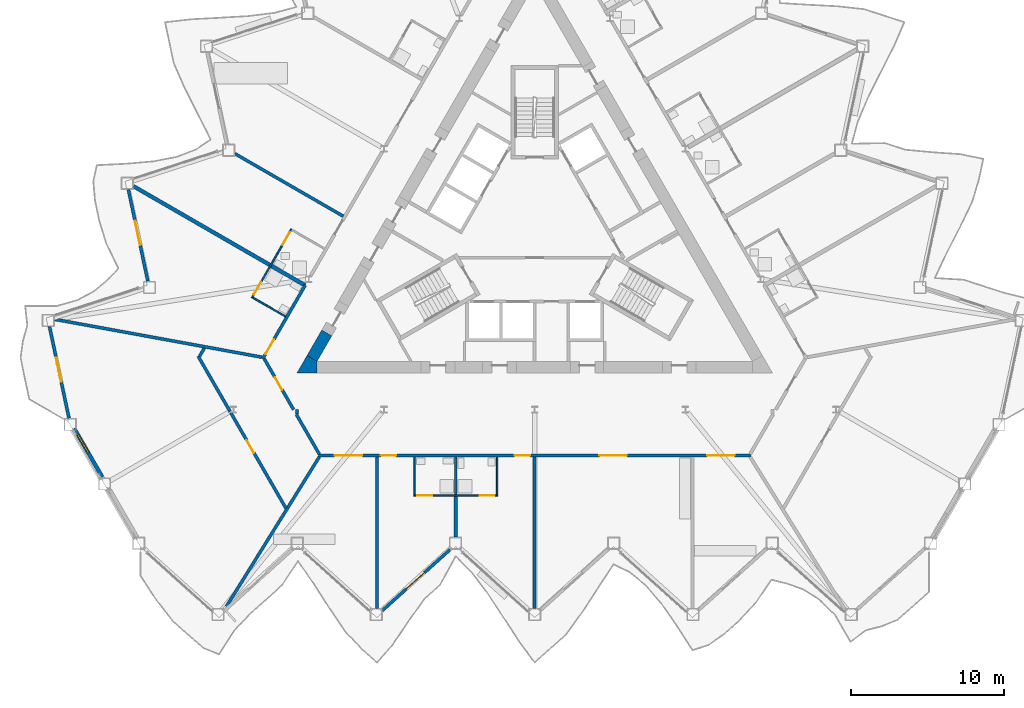
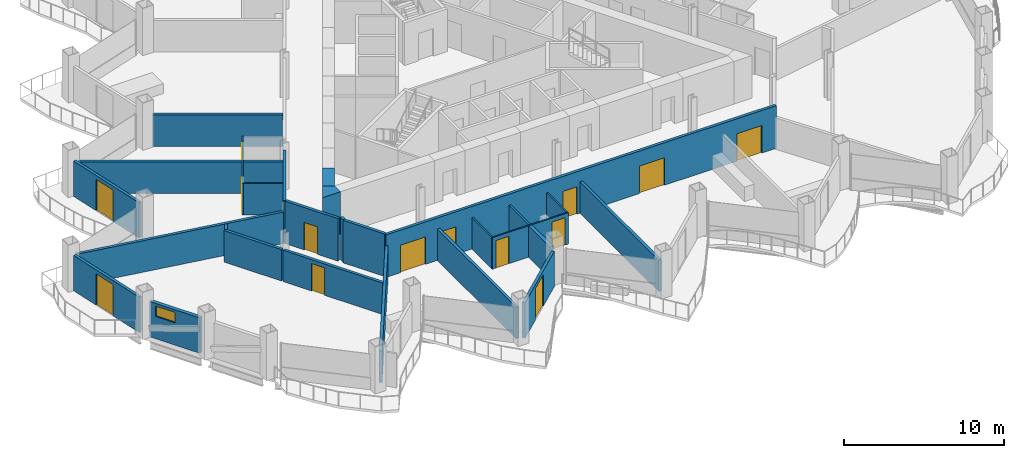
# One storey, part 11 of 24: 27 walls, 15 doors, 1 window, 16 openings.
"""IFC4 building model written with IfcOpenShell, lengths in metres."""

from ifc_helpers import new_model, si_unit, direction, frame, frame_2d, origin, place, context, subcontext, project, spatial, polyline, rectangle, outline, extrude, material, layer, layer_set, type_object, element, fill, save


model = new_model("IFC4")

# Units and contexts
model_context = context("Model", 3, precision=1e-05, world=origin(), true_north=direction((0.0, 1.0)))
body_context = subcontext(model_context, "Body", "Model", "MODEL_VIEW")
ifc_project = project(units=[si_unit("LENGTHUNIT", "METRE"), si_unit("AREAUNIT", "SQUARE_METRE"), si_unit("VOLUMEUNIT", "CUBIC_METRE"), si_unit("PLANEANGLEUNIT", "RADIAN"), si_unit("MASSUNIT", "GRAM", prefix="KILO")], contexts=[model_context])

# Site, building, storey
site_placement = place(None, origin())
site = spatial("IfcSite", under=ifc_project, at=site_placement, CompositionType="ELEMENT")
building_placement = place(site_placement, origin())
building = spatial("IfcBuilding", under=site, at=building_placement, Name="Cormorant Prow Tower", CompositionType="ELEMENT")
storey_placement = place(building_placement, frame((0.0, 0.0, 205.199951171875)))
storey = spatial("IfcBuildingStorey", under=building, at=storey_placement, Name="L45", CompositionType="ELEMENT", Elevation=205.199951171875)

# Walls
ifc_material_1 = material(Name="Concrete 8000 psi", Category="concrete")
ifc_layer_1 = layer(ifc_material_1, 0.75)
ifc_layer_set_1 = layer_set([ifc_layer_1], Name="Concrete 8000 psi")
wall_type_1 = type_object("IfcWallType", Name="Core shear wall 750", PredefinedType="SHEAR", material=ifc_layer_set_1)
wall_1_placement = place(storey_placement, frame((-13.564208984375, -6.34619140625, 0.0), z_axis=(0.0, 0.0, 1.0), x_axis=(-0.499989888488, -0.86603124159, 0.0)))
element("IfcWall", 1, at=wall_1_placement, inside=storey, type_object=wall_type_1, Name="Core wall", PredefinedType="SHEAR", context=body_context, shape_type="SweptSolid", body=[
    extrude(rectangle(XDim=1.9228515625, YDim=0.75, at=frame_2d((0.96142578125, 0.0))), origin(), (0.0, 0.0, 1.0), 3.25),
])
wall_2_placement = place(storey_placement, origin())
element("IfcWall", 2, at=wall_2_placement, inside=storey, type_object=wall_type_1, Name="Core wall corner", PredefinedType="SHEAR", context=body_context, shape_type="SweptSolid", body=[
    extrude(outline(polyline([(-14.8505859375, -7.823974609375), (-14.200927734375, -8.198974609375), (-14.200927734375, -8.948974609375), (-15.5, -8.948974609375), (-14.8505859375, -7.823974609375)])), origin(), (0.0, 0.0, 1.0), 3.25),
])

# Wall, openings, doors
ifc_material_2 = material(Name="Gypsum board corridor wall")
ifc_layer_2 = layer(ifc_material_2, 0.199951171875)
ifc_layer_set_2 = layer_set([ifc_layer_2], Name="Gypsum board corridor wall")
wall_type_2 = type_object("IfcWallType", Name="Corridor wall 200", PredefinedType="PARTITIONING", material=ifc_layer_set_2)
wall_3_placement = place(storey_placement, frame((-14.098876953125, -14.348876953125, 0.0), z_axis=(0.0, 0.0, 1.0), x_axis=(1.0, 0.0, 0.0)))
wall_3 = element("IfcWall", 3, at=wall_3_placement, inside=storey, type_object=wall_type_2, Name="Corridor wall", PredefinedType="PARTITIONING", context=body_context, shape_type="SweptSolid", body=[
    extrude(rectangle(XDim=28.19775390625, YDim=0.199951171875, at=frame_2d((14.098876953125, 0.0))), origin(), (0.0, 0.0, 1.0), 3.25),
])
opening_1_placement = place(wall_3_placement, frame((1.052978515625, 0.0, 0.0)))
opening_1 = element("IfcOpeningElement", 4, at=opening_1_placement, cuts=wall_3, Name="Opening L45-F01", PredefinedType="OPENING", context=body_context, shape_type="SweptSolid", body=[
    extrude(rectangle(XDim=1.800048828125, YDim=2.10009765625, at=frame_2d((0.89990234375, 1.050048828125))), frame((0.0, 0.10986328125, 0.0), z_axis=(0.0, -1.0, 0.0), x_axis=(1.0, 0.0, 0.0)), (0.0, 0.0, 1.0), 0.219970703125),
])
opening_2_placement = place(wall_3_placement, frame((4.06396484375, 0.0, 0.0)))
opening_2 = element("IfcOpeningElement", 5, at=opening_2_placement, cuts=wall_3, Name="Opening L45-F02", PredefinedType="OPENING", context=body_context, shape_type="SweptSolid", body=[
    extrude(rectangle(XDim=1.0, YDim=2.10009765625, at=frame_2d((0.5, 1.050048828125))), frame((0.0, 0.10986328125, 0.0), z_axis=(0.0, -1.0, 0.0), x_axis=(1.0, 0.0, 0.0)), (0.0, 0.0, 1.0), 0.219970703125),
])
opening_3_placement = place(wall_3_placement, frame((12.7958984375, 0.0, 0.0)))
opening_3 = element("IfcOpeningElement", 6, at=opening_3_placement, cuts=wall_3, Name="Opening L45-F04", PredefinedType="OPENING", context=body_context, shape_type="SweptSolid", body=[
    extrude(rectangle(XDim=1.0, YDim=2.10009765625, at=frame_2d((0.5, 1.050048828125))), frame((0.0, 0.10986328125, 0.0), z_axis=(0.0, -1.0, 0.0), x_axis=(1.0, 0.0, 0.0)), (0.0, 0.0, 1.0), 0.219970703125),
])
opening_4_placement = place(wall_3_placement, frame((18.318115234375, 0.0, 0.0)))
opening_4 = element("IfcOpeningElement", 7, at=opening_4_placement, cuts=wall_3, Name="Opening L45-F06", PredefinedType="OPENING", context=body_context, shape_type="SweptSolid", body=[
    extrude(rectangle(XDim=1.800048828125, YDim=2.10009765625, at=frame_2d((0.89990234375, 1.050048828125))), frame((0.0, 0.10986328125, 0.0), z_axis=(0.0, -1.0, 0.0), x_axis=(1.0, 0.0, 0.0)), (0.0, 0.0, 1.0), 0.219970703125),
])
opening_5_placement = place(wall_3_placement, frame((25.3447265625, 0.0, 0.0)))
opening_5 = element("IfcOpeningElement", 8, at=opening_5_placement, cuts=wall_3, Name="Opening L45-F07", PredefinedType="OPENING", context=body_context, shape_type="SweptSolid", body=[
    extrude(rectangle(XDim=1.800048828125, YDim=2.10009765625, at=frame_2d((0.89990234375, 1.050048828125))), frame((0.0, 0.10986328125, 0.0), z_axis=(0.0, -1.0, 0.0), x_axis=(1.0, 0.0, 0.0)), (0.0, 0.0, 1.0), 0.219970703125),
])
ifc_material_3 = material(Name="Timber door leaf", Category="wood")
door_type_1 = type_object("IfcDoorType", Name="Double door 1800x2100", OperationType="DOUBLE_DOOR_SINGLE_SWING", PredefinedType="DOOR", material=ifc_material_3)
door_1_placement = place(opening_1_placement, origin())
door_1 = element("IfcDoor", 9, at=door_1_placement, inside=storey, type_object=door_type_1, Name="Fitness room door", OperationType="DOUBLE_DOOR_SINGLE_SWING", OverallHeight=2.10009765625, OverallWidth=1.800048828125, PredefinedType="DOOR", context=body_context, shape_type="SweptSolid", body=[
    extrude(rectangle(XDim=1.800048828125, YDim=2.10009765625, at=frame_2d((0.89990234375, 1.050048828125))), frame((0.0, 0.02490234375, 0.0), z_axis=(0.0, -1.0, 0.0), x_axis=(1.0, 0.0, 0.0)), (0.0, 0.0, 1.0), 0.050048828125),
])
fill(opening_1, door_1)
door_2_placement = place(opening_4_placement, origin())
door_2 = element("IfcDoor", 10, at=door_2_placement, inside=storey, type_object=door_type_1, Name="Yoga studio door", OperationType="DOUBLE_DOOR_SINGLE_SWING", OverallHeight=2.10009765625, OverallWidth=1.800048828125, PredefinedType="DOOR", context=body_context, shape_type="SweptSolid", body=[
    extrude(rectangle(XDim=1.800048828125, YDim=2.10009765625, at=frame_2d((0.89990234375, 1.050048828125))), frame((0.0, 0.02490234375, 0.0), z_axis=(0.0, -1.0, 0.0), x_axis=(1.0, 0.0, 0.0)), (0.0, 0.0, 1.0), 0.050048828125),
])
fill(opening_4, door_2)
door_3_placement = place(opening_5_placement, origin())
door_3 = element("IfcDoor", 11, at=door_3_placement, inside=storey, type_object=door_type_1, Name="Wellness studio door", OperationType="DOUBLE_DOOR_SINGLE_SWING", OverallHeight=2.10009765625, OverallWidth=1.800048828125, PredefinedType="DOOR", context=body_context, shape_type="SweptSolid", body=[
    extrude(rectangle(XDim=1.800048828125, YDim=2.10009765625, at=frame_2d((0.89990234375, 1.050048828125))), frame((0.0, 0.02490234375, 0.0), z_axis=(0.0, -1.0, 0.0), x_axis=(1.0, 0.0, 0.0)), (0.0, 0.0, 1.0), 0.050048828125),
])
fill(opening_5, door_3)
ifc_material_4 = material(Name="Timber door leaf", Category="wood")
door_type_2 = type_object("IfcDoorType", Name="Flat or room entrance door 1000x2100", OperationType="NOTDEFINED", PredefinedType="DOOR", material=ifc_material_4)
door_4_placement = place(opening_2_placement, origin())
door_4 = element("IfcDoor", 12, at=door_4_placement, inside=storey, type_object=door_type_2, Name="Guest room door", OperationType="SINGLE_SWING_LEFT", OverallHeight=2.10009765625, OverallWidth=1.0, PredefinedType="DOOR", context=body_context, shape_type="SweptSolid", body=[
    extrude(rectangle(XDim=1.0, YDim=2.10009765625, at=frame_2d((0.5, 1.050048828125))), frame((0.0, 0.02490234375, 0.0), z_axis=(0.0, -1.0, 0.0), x_axis=(1.0, 0.0, 0.0)), (0.0, 0.0, 1.0), 0.050048828125),
])
fill(opening_2, door_4)
door_5_placement = place(opening_3_placement, origin())
door_5 = element("IfcDoor", 13, at=door_5_placement, inside=storey, type_object=door_type_2, Name="Guest room door", OperationType="SINGLE_SWING_RIGHT", OverallHeight=2.10009765625, OverallWidth=1.0, PredefinedType="DOOR", context=body_context, shape_type="SweptSolid", body=[
    extrude(rectangle(XDim=1.0, YDim=2.10009765625, at=frame_2d((0.5, 1.050048828125))), frame((0.0, 0.02490234375, 0.0), z_axis=(0.0, -1.0, 0.0), x_axis=(1.0, 0.0, 0.0)), (0.0, 0.0, 1.0), 0.050048828125),
])
fill(opening_3, door_5)

# Wall, opening, door
wall_4_placement = place(storey_placement, frame((-17.743896484375, -8.035400390625, 0.0), z_axis=(0.0, 0.0, 1.0), x_axis=(0.500003221507, 0.866023543838, 0.0)))
wall_4 = element("IfcWall", 14, at=wall_4_placement, inside=storey, type_object=wall_type_2, Name="Corridor wall", PredefinedType="PARTITIONING", context=body_context, shape_type="SweptSolid", body=[
    extrude(rectangle(XDim=5.544921875, YDim=0.199951171875, at=frame_2d((2.7724609375, 0.0))), origin(), (0.0, 0.0, 1.0), 3.25),
])
opening_6_placement = place(wall_4_placement, frame((0.35107421875, 0.0, 0.0)))
opening_6 = element("IfcOpeningElement", 15, at=opening_6_placement, cuts=wall_4, Name="Opening L45-F28", PredefinedType="OPENING", context=body_context, shape_type="SweptSolid", body=[
    extrude(rectangle(XDim=1.10009765625, YDim=2.10009765625, at=frame_2d((0.550048828125, 1.050048828125))), frame((0.0, 0.10986328125, 0.0), z_axis=(0.0, -1.0, 0.0), x_axis=(1.0, 0.0, 0.0)), (0.0, 0.0, 1.0), 0.219970703125),
])
ifc_material_5 = material(Name="Timber door leaf", Category="wood")
door_type_3 = type_object("IfcDoorType", Name="Suite entrance door 1100x2100", OperationType="NOTDEFINED", PredefinedType="DOOR", material=ifc_material_5)
door_6_placement = place(opening_6_placement, origin())
door_6 = element("IfcDoor", 16, at=door_6_placement, inside=storey, type_object=door_type_3, Name="Junior suite door", OperationType="SINGLE_SWING_LEFT", OverallHeight=2.10009765625, OverallWidth=1.10009765625, PredefinedType="DOOR", context=body_context, shape_type="SweptSolid", body=[
    extrude(rectangle(XDim=1.10009765625, YDim=2.10009765625, at=frame_2d((0.550048828125, 1.050048828125))), frame((0.0, 0.02490234375, 0.0), z_axis=(0.0, -1.0, 0.0), x_axis=(1.0, 0.0, 0.0)), (0.0, 0.0, 1.0), 0.050048828125),
])
fill(opening_6, door_6)

wall_5_placement = place(storey_placement, frame((-17.643798828125, -8.035400390625, 0.0), z_axis=(0.0, 0.0, 1.0), x_axis=(0.499961815444, -0.866047448526, 0.0)))
wall_5 = element("IfcWall", 17, at=wall_5_placement, inside=storey, type_object=wall_type_2, Name="Corridor wall", PredefinedType="PARTITIONING", context=body_context, shape_type="SweptSolid", body=[
    extrude(rectangle(XDim=3.825927734375, YDim=0.199951171875, at=frame_2d((1.9130859375, 0.0))), origin(), (0.0, 0.0, 1.0), 3.25),
])
opening_7_placement = place(wall_5_placement, frame((1.38623046875, 0.0, 0.0)))
opening_7 = element("IfcOpeningElement", 18, at=opening_7_placement, cuts=wall_5, Name="Opening L45-F30", PredefinedType="OPENING", context=body_context, shape_type="SweptSolid", body=[
    extrude(rectangle(XDim=0.949951171875, YDim=2.10009765625, at=frame_2d((0.47509765625, 1.050048828125))), frame((0.0, 0.10986328125, 0.0), z_axis=(0.0, -1.0, 0.0), x_axis=(1.0, 0.0, 0.0)), (0.0, 0.0, 1.0), 0.219970703125),
])
ifc_material_6 = material(Name="Timber door leaf", Category="wood")
door_type_4 = type_object("IfcDoorType", Name="Store door 950x2100", OperationType="NOTDEFINED", PredefinedType="DOOR", material=ifc_material_6)
door_7_placement = place(opening_7_placement, origin())
door_7 = element("IfcDoor", 19, at=door_7_placement, inside=storey, type_object=door_type_4, Name="Guest pantry door", OperationType="SINGLE_SWING_RIGHT", OverallHeight=2.10009765625, OverallWidth=0.949951171875, PredefinedType="DOOR", context=body_context, shape_type="SweptSolid", body=[
    extrude(rectangle(XDim=0.949951171875, YDim=2.10009765625, at=frame_2d((0.47509765625, 1.050048828125))), frame((0.0, 0.02490234375, 0.0), z_axis=(0.0, -1.0, 0.0), x_axis=(1.0, 0.0, 0.0)), (0.0, 0.0, 1.0), 0.050048828125),
])
fill(opening_7, door_7)

# Walls
wall_6_placement = place(storey_placement, frame((-15.550048828125, -11.662353515625, 0.0), z_axis=(0.0, 0.0, 1.0), x_axis=(0.500048608389, -0.865997337899, 0.0)))
element("IfcWall", 20, at=wall_6_placement, inside=storey, type_object=wall_type_2, Name="Corridor wall", PredefinedType="PARTITIONING", context=body_context, shape_type="SweptSolid", body=[
    extrude(rectangle(XDim=3.002197265625, YDim=0.199951171875, at=frame_2d((1.5009765625, 0.0))), origin(), (0.0, 0.0, 1.0), 3.25),
])
wall_7_placement = place(storey_placement, frame((-15.5, -11.64892578125, 0.0), z_axis=(0.0, 0.0, 1.0), x_axis=(0.0, 1.0, 0.0)))
element("IfcWall", 21, at=wall_7_placement, inside=storey, type_object=wall_type_2, Name="Corridor wall", PredefinedType="PARTITIONING", context=body_context, shape_type="SweptSolid", body=[
    extrude(rectangle(XDim=0.31005859375, YDim=0.199951171875, at=frame_2d((0.155029296875, 0.0))), origin(), (0.0, 0.0, 1.0), 3.25),
])
ifc_material_7 = material(Name="Gypsum board demising wall")
ifc_layer_3 = layer(ifc_material_7, 0.199951171875)
ifc_layer_set_3 = layer_set([ifc_layer_3], Name="Gypsum board demising wall")
wall_type_3 = type_object("IfcWallType", Name="Demising wall 200", PredefinedType="PARTITIONING", material=ifc_layer_set_3)
wall_8_placement = place(storey_placement, frame((-31.3291015625, -5.4580078125, 0.0), z_axis=(0.0, 0.0, 1.0), x_axis=(0.983720538919, -0.179705039744, 0.0)))
element("IfcWall", 22, at=wall_8_placement, inside=storey, type_object=wall_type_3, Name="Demising wall", PredefinedType="PARTITIONING", context=body_context, shape_type="SweptSolid", body=[
    extrude(rectangle(XDim=13.760986328125, YDim=0.199951171875, at=frame_2d((6.88037109375, 0.0))), origin(), (0.0, 0.0, 1.0), 2.404296875),
])
wall_9_placement = place(storey_placement, frame((-20.116943359375, -24.200439453125, 0.0), z_axis=(0.0, 0.0, 1.0), x_axis=(0.527576403825, 0.849507585679, 0.0)))
element("IfcWall", 23, at=wall_9_placement, inside=storey, type_object=wall_type_3, Name="Demising wall", PredefinedType="PARTITIONING", context=body_context, shape_type="SweptSolid", body=[
    extrude(rectangle(XDim=11.496826171875, YDim=0.199951171875, at=frame_2d((5.74853515625, 0.0))), origin(), (0.0, 0.0, 1.0), 2.404296875),
])
for number, where, z_axis, x_axis, name in (
    (24, (-10.296142578125, -24.3115234375, 0.0), (0.0, 0.0, 1.0), (0.0, 1.0, 0.0), "Demising wall"),
    (25, (0.0, -24.3115234375, 0.0), (0.0, 0.0, 1.0), (0.0, 1.0, 0.0), "Demising wall"),
):
    element("IfcWall", number, at=place(storey_placement, frame(where, z_axis=z_axis, x_axis=x_axis)), inside=storey, type_object=wall_type_3, Name=name, PredefinedType="PARTITIONING", context=body_context, shape_type="SweptSolid", body=[
        extrude(rectangle(XDim=9.862548828125, YDim=0.199951171875, at=frame_2d((4.93115234375, 0.0))), origin(), (0.0, 0.0, 1.0), 2.404296875),
    ])
wall_10_placement = place(storey_placement, frame((-19.5546875, 5.345458984375, 0.0), z_axis=(0.0, 0.0, 1.0), x_axis=(0.866026623601, -0.49999788721, 0.0)))
element("IfcWall", 26, at=wall_10_placement, inside=storey, type_object=wall_type_3, Name="Demising wall", PredefinedType="PARTITIONING", context=body_context, shape_type="SweptSolid", body=[
    extrude(rectangle(XDim=8.15869140625, YDim=0.199951171875, at=frame_2d((4.079345703125, 0.0))), origin(), (0.0, 0.0, 1.0), 2.404296875),
])

# Wall, opening, door
wall_11_placement = place(storey_placement, frame((-19.822265625, -11.5625, 0.0), z_axis=(0.0, 0.0, 1.0), x_axis=(0.500008997517, -0.866020209003, 0.0)))
wall_11 = element("IfcWall", 27, at=wall_11_placement, inside=storey, type_object=wall_type_3, Name="Demising wall", PredefinedType="PARTITIONING", context=body_context, shape_type="SweptSolid", body=[
    extrude(rectangle(XDim=7.178466796875, YDim=0.199951171875, at=frame_2d((3.58935546875, 0.0))), origin(), (0.0, 0.0, 1.0), 2.404296875),
])
opening_8_placement = place(wall_11_placement, frame((2.05908203125, 0.0, 0.0)))
opening_8 = element("IfcOpeningElement", 28, at=opening_8_placement, cuts=wall_11, Name="Opening L45-F31", PredefinedType="OPENING", context=body_context, shape_type="SweptSolid", body=[
    extrude(rectangle(XDim=0.949951171875, YDim=2.10009765625, at=frame_2d((0.47509765625, 1.050048828125))), frame((0.0, 0.10986328125, 0.0), z_axis=(0.0, -1.0, 0.0), x_axis=(1.0, 0.0, 0.0)), (0.0, 0.0, 1.0), 0.219970703125),
])
door_8_placement = place(opening_8_placement, origin())
door_8 = element("IfcDoor", 29, at=door_8_placement, inside=storey, type_object=door_type_4, Name="Luggage store door", OperationType="SINGLE_SWING_RIGHT", OverallHeight=2.10009765625, OverallWidth=0.949951171875, PredefinedType="DOOR", context=body_context, shape_type="SweptSolid", body=[
    extrude(rectangle(XDim=0.949951171875, YDim=2.10009765625, at=frame_2d((0.47509765625, 1.050048828125))), frame((0.0, 0.02490234375, 0.0), z_axis=(0.0, -1.0, 0.0), x_axis=(1.0, 0.0, 0.0)), (0.0, 0.0, 1.0), 0.050048828125),
])
fill(opening_8, door_8)

# Walls
wall_12_placement = place(storey_placement, frame((-21.95849609375, -7.8623046875, 0.0), z_axis=(0.0, 0.0, 1.0), x_axis=(0.499987304225, -0.866032733569, 0.0)))
element("IfcWall", 30, at=wall_12_placement, inside=storey, type_object=wall_type_3, Name="Demising wall", PredefinedType="PARTITIONING", context=body_context, shape_type="SweptSolid", body=[
    extrude(rectangle(XDim=4.17578125, YDim=0.199951171875, at=frame_2d((2.087890625, 0.0))), origin(), (0.0, 0.0, 1.0), 2.404296875),
])
wall_13_placement = place(storey_placement, frame((-21.858642578125, -7.8623046875, 0.0), z_axis=(0.0, 0.0, 1.0), x_axis=(0.50022374246, 0.865896187473, 0.0)))
element("IfcWall", 31, at=wall_13_placement, inside=storey, type_object=wall_type_3, Name="Demising wall", PredefinedType="PARTITIONING", context=body_context, shape_type="SweptSolid", body=[
    extrude(rectangle(XDim=0.604248046875, YDim=0.199951171875, at=frame_2d((0.30224609375, 0.0))), origin(), (0.0, 0.0, 1.0), 2.404296875),
])

# Wall, openings, doors
ifc_material_8 = material(Name="Gypsum board partition")
ifc_layer_4 = layer(ifc_material_8, 0.10009765625)
ifc_layer_set_4 = layer_set([ifc_layer_4], Name="Gypsum board partition")
wall_type_4 = type_object("IfcWallType", Name="Internal partition 100", PredefinedType="PARTITIONING", material=ifc_layer_set_4)
wall_14_placement = place(storey_placement, frame((-7.89794921875, -16.948974609375, 0.0), z_axis=(0.0, 0.0, 1.0), x_axis=(1.0, 0.0, 0.0)))
wall_14 = element("IfcWall", 32, at=wall_14_placement, inside=storey, type_object=wall_type_4, Name="Internal partition", PredefinedType="PARTITIONING", context=body_context, shape_type="SweptSolid", body=[
    extrude(rectangle(XDim=5.5, YDim=0.10009765625, at=frame_2d((2.75, 0.0))), origin(), (0.0, 0.0, 1.0), 2.404296875),
])
opening_9_placement = place(wall_14_placement, frame((0.25, 0.0, 0.0)))
opening_9 = element("IfcOpeningElement", 33, at=opening_9_placement, cuts=wall_14, Name="Opening L45-F03", PredefinedType="OPENING", context=body_context, shape_type="SweptSolid", body=[
    extrude(rectangle(XDim=0.949951171875, YDim=2.10009765625, at=frame_2d((0.47509765625, 1.050048828125))), frame((0.0, 0.06005859375, 0.0), z_axis=(0.0, -1.0, 0.0), x_axis=(1.0, 0.0, 0.0)), (0.0, 0.0, 1.0), 0.1201171875),
])
opening_10_placement = place(wall_14_placement, frame((4.300048828125, 0.0, 0.0)))
opening_10 = element("IfcOpeningElement", 34, at=opening_10_placement, cuts=wall_14, Name="Opening L45-F05", PredefinedType="OPENING", context=body_context, shape_type="SweptSolid", body=[
    extrude(rectangle(XDim=0.949951171875, YDim=2.10009765625, at=frame_2d((0.47509765625, 1.050048828125))), frame((0.0, 0.06005859375, 0.0), z_axis=(0.0, -1.0, 0.0), x_axis=(1.0, 0.0, 0.0)), (0.0, 0.0, 1.0), 0.1201171875),
])
ifc_material_9 = material(Name="Timber door leaf", Category="wood")
door_type_5 = type_object("IfcDoorType", Name="Bathroom door 950x2100", OperationType="NOTDEFINED", PredefinedType="DOOR", material=ifc_material_9)
door_9_placement = place(opening_9_placement, origin())
door_9 = element("IfcDoor", 35, at=door_9_placement, inside=storey, type_object=door_type_5, Name="Guest room door", OperationType="SINGLE_SWING_LEFT", OverallHeight=2.10009765625, OverallWidth=0.949951171875, PredefinedType="DOOR", context=body_context, shape_type="SweptSolid", body=[
    extrude(rectangle(XDim=0.949951171875, YDim=2.10009765625, at=frame_2d((0.47509765625, 1.050048828125))), frame((0.0, 0.02490234375, 0.0), z_axis=(0.0, -1.0, 0.0), x_axis=(1.0, 0.0, 0.0)), (0.0, 0.0, 1.0), 0.050048828125),
])
fill(opening_9, door_9)
door_10_placement = place(opening_10_placement, origin())
door_10 = element("IfcDoor", 36, at=door_10_placement, inside=storey, type_object=door_type_5, Name="Guest room door", OperationType="SINGLE_SWING_RIGHT", OverallHeight=2.10009765625, OverallWidth=0.949951171875, PredefinedType="DOOR", context=body_context, shape_type="SweptSolid", body=[
    extrude(rectangle(XDim=0.949951171875, YDim=2.10009765625, at=frame_2d((0.47509765625, 1.050048828125))), frame((0.0, 0.02490234375, 0.0), z_axis=(0.0, -1.0, 0.0), x_axis=(1.0, 0.0, 0.0)), (0.0, 0.0, 1.0), 0.050048828125),
])
fill(opening_10, door_10)

wall_15_placement = place(storey_placement, frame((-18.453125, -4.06396484375, 0.0), z_axis=(0.0, 0.0, 1.0), x_axis=(0.499971721724, 0.866041729639, 0.0)))
wall_15 = element("IfcWall", 37, at=wall_15_placement, inside=storey, type_object=wall_type_4, Name="Internal partition", PredefinedType="PARTITIONING", context=body_context, shape_type="SweptSolid", body=[
    extrude(rectangle(XDim=5.199951171875, YDim=0.10009765625, at=frame_2d((2.60009765625, 0.0))), origin(), (0.0, 0.0, 1.0), 2.404296875),
])
opening_11_placement = place(wall_15_placement, frame((4.0, 0.0, 0.0)))
opening_11 = element("IfcOpeningElement", 38, at=opening_11_placement, cuts=wall_15, Name="Opening L45-F27", PredefinedType="OPENING", context=body_context, shape_type="SweptSolid", body=[
    extrude(rectangle(XDim=0.949951171875, YDim=2.10009765625, at=frame_2d((0.47509765625, 1.050048828125))), frame((0.0, 0.06005859375, 0.0), z_axis=(0.0, -1.0, 0.0), x_axis=(1.0, 0.0, 0.0)), (0.0, 0.0, 1.0), 0.1201171875),
])
opening_12_placement = place(wall_15_placement, frame((0.25, 0.0, 0.0)))
opening_12 = element("IfcOpeningElement", 39, at=opening_12_placement, cuts=wall_15, Name="Opening L45-F29", PredefinedType="OPENING", context=body_context, shape_type="SweptSolid", body=[
    extrude(rectangle(XDim=0.949951171875, YDim=2.10009765625, at=frame_2d((0.47509765625, 1.050048828125))), frame((0.0, 0.06005859375, 0.0), z_axis=(0.0, -1.0, 0.0), x_axis=(1.0, 0.0, 0.0)), (0.0, 0.0, 1.0), 0.1201171875),
])
door_11_placement = place(opening_11_placement, origin())
door_11 = element("IfcDoor", 40, at=door_11_placement, inside=storey, type_object=door_type_5, Name="Guest room door", OperationType="SINGLE_SWING_RIGHT", OverallHeight=2.10009765625, OverallWidth=0.949951171875, PredefinedType="DOOR", context=body_context, shape_type="SweptSolid", body=[
    extrude(rectangle(XDim=0.949951171875, YDim=2.10009765625, at=frame_2d((0.47509765625, 1.050048828125))), frame((0.0, 0.02490234375, 0.0), z_axis=(0.0, -1.0, 0.0), x_axis=(1.0, 0.0, 0.0)), (0.0, 0.0, 1.0), 0.050048828125),
])
fill(opening_11, door_11)
door_12_placement = place(opening_12_placement, origin())
door_12 = element("IfcDoor", 41, at=door_12_placement, inside=storey, type_object=door_type_5, Name="Junior suite door", OperationType="SINGLE_SWING_LEFT", OverallHeight=2.10009765625, OverallWidth=0.949951171875, PredefinedType="DOOR", context=body_context, shape_type="SweptSolid", body=[
    extrude(rectangle(XDim=0.949951171875, YDim=2.10009765625, at=frame_2d((0.47509765625, 1.050048828125))), frame((0.0, 0.02490234375, 0.0), z_axis=(0.0, -1.0, 0.0), x_axis=(1.0, 0.0, 0.0)), (0.0, 0.0, 1.0), 0.050048828125),
])
fill(opening_12, door_12)

# Walls
for number, where, z_axis, x_axis, name in (
    (42, (-18.385009765625, -4.045654296875, 0.0), (0.0, 0.0, 1.0), (0.866057815567, -0.499943856944, 0.0), "Internal partition"),
    (43, (-7.847900390625, -16.89892578125, 0.0), (0.0, 0.0, 1.0), (0.0, 1.0, 0.0), "Internal partition"),
    (44, (-2.447998046875, -16.89892578125, 0.0), (0.0, 0.0, 1.0), (0.0, 1.0, 0.0), "Internal partition"),
):
    element("IfcWall", number, at=place(storey_placement, frame(where, z_axis=z_axis, x_axis=x_axis)), inside=storey, type_object=wall_type_4, Name=name, PredefinedType="PARTITIONING", context=body_context, shape_type="SweptSolid", body=[
        extrude(rectangle(XDim=2.449951171875, YDim=0.10009765625, at=frame_2d((1.22509765625, 0.0))), origin(), (0.0, 0.0, 1.0), 2.404296875),
    ])
ifc_material_10 = material(Name="Acoustic gypsum party wall")
ifc_layer_5 = layer(ifc_material_10, 0.25)
ifc_layer_set_5 = layer_set([ifc_layer_5], Name="Acoustic gypsum party wall")
wall_type_5 = type_object("IfcWallType", Name="Suite party wall 250", PredefinedType="PARTITIONING", material=ifc_layer_set_5)
wall_16_placement = place(storey_placement, frame((-26.164306640625, 3.217041015625, 0.0), z_axis=(0.0, 0.0, 1.0), x_axis=(0.866026026416, -0.499998921569, 0.0)))
element("IfcWall", 45, at=wall_16_placement, inside=storey, type_object=wall_type_5, Name="Suite party wall", PredefinedType="PARTITIONING", context=body_context, shape_type="SweptSolid", body=[
    extrude(rectangle(XDim=12.91845703125, YDim=0.25, at=frame_2d((6.459228515625, 0.0))), origin(), (0.0, 0.0, 1.0), 2.404296875),
])
wall_17_placement = place(storey_placement, frame((-5.14794921875, -19.661376953125, 0.0), z_axis=(0.0, 0.0, 1.0), x_axis=(0.0, 1.0, 0.0)))
element("IfcWall", 46, at=wall_17_placement, inside=storey, type_object=wall_type_5, Name="Suite party wall", PredefinedType="PARTITIONING", context=body_context, shape_type="SweptSolid", body=[
    extrude(rectangle(XDim=2.66259765625, YDim=0.25, at=frame_2d((1.331298828125, 0.0))), origin(), (0.0, 0.0, 1.0), 2.404296875),
])

# Wall, opening, window
ifc_material_11 = material(Name="Terracotta", Category="masonry")
ifc_layer_6 = layer(ifc_material_11, 0.25)
ifc_layer_set_6 = layer_set([ifc_layer_6], Name="Terracotta")
wall_type_6 = type_object("IfcWallType", Name="Terracotta bay wall 250", PredefinedType="SOLIDWALL", material=ifc_layer_set_6)
wall_18_placement = place(storey_placement, frame((-30.040771484375, -12.5810546875, 0.0), z_axis=(0.0, 0.0, 1.0), x_axis=(0.499978523533, -0.866037802874, 0.0)))
wall_18 = element("IfcWall", 47, at=wall_18_placement, inside=storey, type_object=wall_type_6, Name="Terracotta bay wall WSW00", PredefinedType="SOLIDWALL", context=body_context, shape_type="SweptSolid", body=[
    extrude(rectangle(XDim=3.658935546875, YDim=0.25, at=frame_2d((1.82958984375, 0.0))), origin(), (0.0, 0.0, 1.0), 2.700927734375),
])
opening_13_placement = place(wall_18_placement, frame((0.449951171875, 0.0, 1.699951171875)))
opening_13 = element("IfcOpeningElement", 48, at=opening_13_placement, cuts=wall_18, Name="Opening WN3", PredefinedType="OPENING", context=body_context, shape_type="SweptSolid", body=[
    extrude(rectangle(XDim=1.39990234375, YDim=0.800048828125, at=frame_2d((0.699951171875, 0.39990234375))), frame((0.0, 0.135009765625, 0.0), z_axis=(0.0, -1.0, 0.0), x_axis=(1.0, 0.0, 0.0)), (0.0, 0.0, 1.0), 0.27001953125),
])
ifc_material_12 = material(Name="Aluminium 6063-T6", Category="aluminium")
window_type = type_object("IfcWindowType", Name="Corner bay window 1400x800", PartitioningType="SINGLE_PANEL", PredefinedType="WINDOW", material=ifc_material_12)
window_placement = place(opening_13_placement, origin())
window = element("IfcWindow", 49, at=window_placement, inside=storey, type_object=window_type, Name="Corner bay window WSW00", OverallHeight=0.800048828125, OverallWidth=1.39990234375, PartitioningType="SINGLE_PANEL", PredefinedType="WINDOW", context=body_context, shape_type="SweptSolid", body=[
    extrude(rectangle(XDim=1.39990234375, YDim=0.800048828125, at=frame_2d((0.699951171875, 0.39990234375))), frame((0.0, 0.030029296875, 0.0), z_axis=(0.0, -1.0, 0.0), x_axis=(1.0, 0.0, 0.0)), (0.0, 0.0, 1.0), 0.06005859375),
])
fill(opening_13, window)

# Wall, opening, door
ifc_material_13 = material(Name="Terracotta", Category="masonry")
ifc_layer_7 = layer(ifc_material_13, 0.199951171875)
ifc_layer_set_7 = layer_set([ifc_layer_7], Name="Terracotta")
wall_type_7 = type_object("IfcWallType", Name="Terracotta jamb wall 200", PredefinedType="SOLIDWALL", material=ifc_layer_set_7)
wall_19_placement = place(storey_placement, frame((-9.94091796875, -24.4609375, 0.0), z_axis=(0.0, 0.0, 1.0), x_axis=(0.743160949979, 0.669112697852, 0.0)))
wall_19 = element("IfcWall", 50, at=wall_19_placement, inside=storey, type_object=wall_type_7, Name="Terracotta jamb wall S03", PredefinedType="SOLIDWALL", context=body_context, shape_type="SweptSolid", body=[
    extrude(rectangle(XDim=5.9248046875, YDim=0.199951171875, at=frame_2d((2.96240234375, 0.0))), origin(), (0.0, 0.0, 1.0), 2.700927734375),
])
opening_14_placement = place(wall_19_placement, frame((2.095703125, 0.0, 0.0)))
opening_14 = element("IfcOpeningElement", 51, at=opening_14_placement, cuts=wall_19, Name="Opening ED45.02", PredefinedType="OPENING", context=body_context, shape_type="SweptSolid", body=[
    extrude(rectangle(XDim=1.60009765625, YDim=2.39990234375, at=frame_2d((0.800048828125, 1.199951171875))), frame((0.0, 0.10986328125, 0.0), z_axis=(0.0, -1.0, 0.0), x_axis=(1.0, 0.0, 0.0)), (0.0, 0.0, 1.0), 0.219970703125),
])
ifc_material_14 = material(Name="Aluminium 6063-T6", Category="aluminium")
door_type_6 = type_object("IfcDoorType", Name="Balcony door 1600x2400", OperationType="DOUBLE_DOOR_SINGLE_SWING", PredefinedType="DOOR", material=ifc_material_14)
door_13_placement = place(opening_14_placement, origin())
door_13 = element("IfcDoor", 52, at=door_13_placement, inside=storey, type_object=door_type_6, Name="Balcony door S03 ED45.02", OperationType="DOUBLE_DOOR_SINGLE_SWING", OverallHeight=2.39990234375, OverallWidth=1.60009765625, PredefinedType="DOOR", context=body_context, shape_type="SweptSolid", body=[
    extrude(rectangle(XDim=1.60009765625, YDim=2.39990234375, at=frame_2d((0.800048828125, 1.199951171875))), frame((0.0, 0.02490234375, 0.0), z_axis=(0.0, -1.0, 0.0), x_axis=(1.0, 0.0, 0.0)), (0.0, 0.0, 1.0), 0.050048828125),
])
fill(opening_14, door_13)

wall_20_placement = place(storey_placement, frame((-26.509521484375, 3.00634765625, 0.0), z_axis=(0.0, 0.0, 1.0), x_axis=(0.207920445063, -0.978145739921, 0.0)))
wall_20 = element("IfcWall", 53, at=wall_20_placement, inside=storey, type_object=wall_type_7, Name="Terracotta jamb wall WNW07", PredefinedType="SOLIDWALL", context=body_context, shape_type="SweptSolid", body=[
    extrude(rectangle(XDim=6.10595703125, YDim=0.199951171875, at=frame_2d((3.052978515625, 0.0))), origin(), (0.0, 0.0, 1.0), 2.700927734375),
])
opening_15_placement = place(wall_20_placement, frame((2.095703125, 0.0, 0.0)))
opening_15 = element("IfcOpeningElement", 54, at=opening_15_placement, cuts=wall_20, Name="Opening ED45.14", PredefinedType="OPENING", context=body_context, shape_type="SweptSolid", body=[
    extrude(rectangle(XDim=1.60009765625, YDim=2.39990234375, at=frame_2d((0.800048828125, 1.199951171875))), frame((0.0, 0.10986328125, 0.0), z_axis=(0.0, -1.0, 0.0), x_axis=(1.0, 0.0, 0.0)), (0.0, 0.0, 1.0), 0.219970703125),
])
door_14_placement = place(opening_15_placement, origin())
door_14 = element("IfcDoor", 55, at=door_14_placement, inside=storey, type_object=door_type_6, Name="Balcony door WNW07 ED45.14", OperationType="DOUBLE_DOOR_SINGLE_SWING", OverallHeight=2.39990234375, OverallWidth=1.60009765625, PredefinedType="DOOR", context=body_context, shape_type="SweptSolid", body=[
    extrude(rectangle(XDim=1.60009765625, YDim=2.39990234375, at=frame_2d((0.800048828125, 1.199951171875))), frame((0.0, 0.02490234375, 0.0), z_axis=(0.0, -1.0, 0.0), x_axis=(1.0, 0.0, 0.0)), (0.0, 0.0, 1.0), 0.050048828125),
])
fill(opening_15, door_14)

wall_21_placement = place(storey_placement, frame((-31.657470703125, -5.910400390625, 0.0), z_axis=(0.0, 0.0, 1.0), x_axis=(0.207917293494, -0.978146409831, 0.0)))
wall_21 = element("IfcWall", 56, at=wall_21_placement, inside=storey, type_object=wall_type_7, Name="Terracotta jamb wall WNW09", PredefinedType="SOLIDWALL", context=body_context, shape_type="SweptSolid", body=[
    extrude(rectangle(XDim=6.13525390625, YDim=0.199951171875, at=frame_2d((3.067626953125, 0.0))), origin(), (0.0, 0.0, 1.0), 2.700927734375),
])
opening_16_placement = place(wall_21_placement, frame((2.095703125, 0.0, 0.0)))
opening_16 = element("IfcOpeningElement", 57, at=opening_16_placement, cuts=wall_21, Name="Opening ED45.15", PredefinedType="OPENING", context=body_context, shape_type="SweptSolid", body=[
    extrude(rectangle(XDim=1.60009765625, YDim=2.39990234375, at=frame_2d((0.800048828125, 1.199951171875))), frame((0.0, 0.10986328125, 0.0), z_axis=(0.0, -1.0, 0.0), x_axis=(1.0, 0.0, 0.0)), (0.0, 0.0, 1.0), 0.219970703125),
])
door_15_placement = place(opening_16_placement, origin())
door_15 = element("IfcDoor", 58, at=door_15_placement, inside=storey, type_object=door_type_6, Name="Balcony door WNW09 ED45.15", OperationType="DOUBLE_DOOR_SINGLE_SWING", OverallHeight=2.39990234375, OverallWidth=1.60009765625, PredefinedType="DOOR", context=body_context, shape_type="SweptSolid", body=[
    extrude(rectangle(XDim=1.60009765625, YDim=2.39990234375, at=frame_2d((0.800048828125, 1.199951171875))), frame((0.0, 0.02490234375, 0.0), z_axis=(0.0, -1.0, 0.0), x_axis=(1.0, 0.0, 0.0)), (0.0, 0.0, 1.0), 0.050048828125),
])
fill(opening_16, door_15)

# Wall
ifc_material_15 = material(Name="Plasterboard wet wall with pipe chase")
ifc_layer_8 = layer(ifc_material_15, 0.14990234375)
ifc_layer_set_8 = layer_set([ifc_layer_8], Name="Plasterboard wet wall with pipe chase")
wall_type_8 = type_object("IfcWallType", Name="Wet wall 150", PredefinedType="PLUMBINGWALL", material=ifc_layer_set_8)
wall_22_placement = place(storey_placement, frame((-5.14794921875, -16.89892578125, 0.0), z_axis=(0.0, 0.0, 1.0), x_axis=(0.0, 1.0, 0.0)))
element("IfcWall", 59, at=wall_22_placement, inside=storey, type_object=wall_type_8, Name="Wet wall", PredefinedType="PLUMBINGWALL", context=body_context, shape_type="SweptSolid", body=[
    extrude(rectangle(XDim=2.449951171875, YDim=0.14990234375, at=frame_2d((1.22509765625, 0.0))), origin(), (0.0, 0.0, 1.0), 2.404296875),
])

save(model, "model.ifc")
